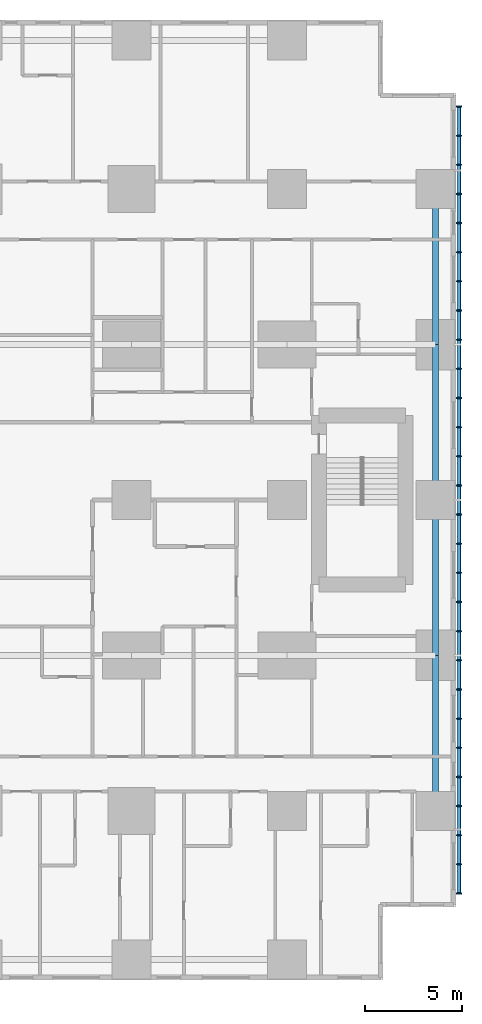
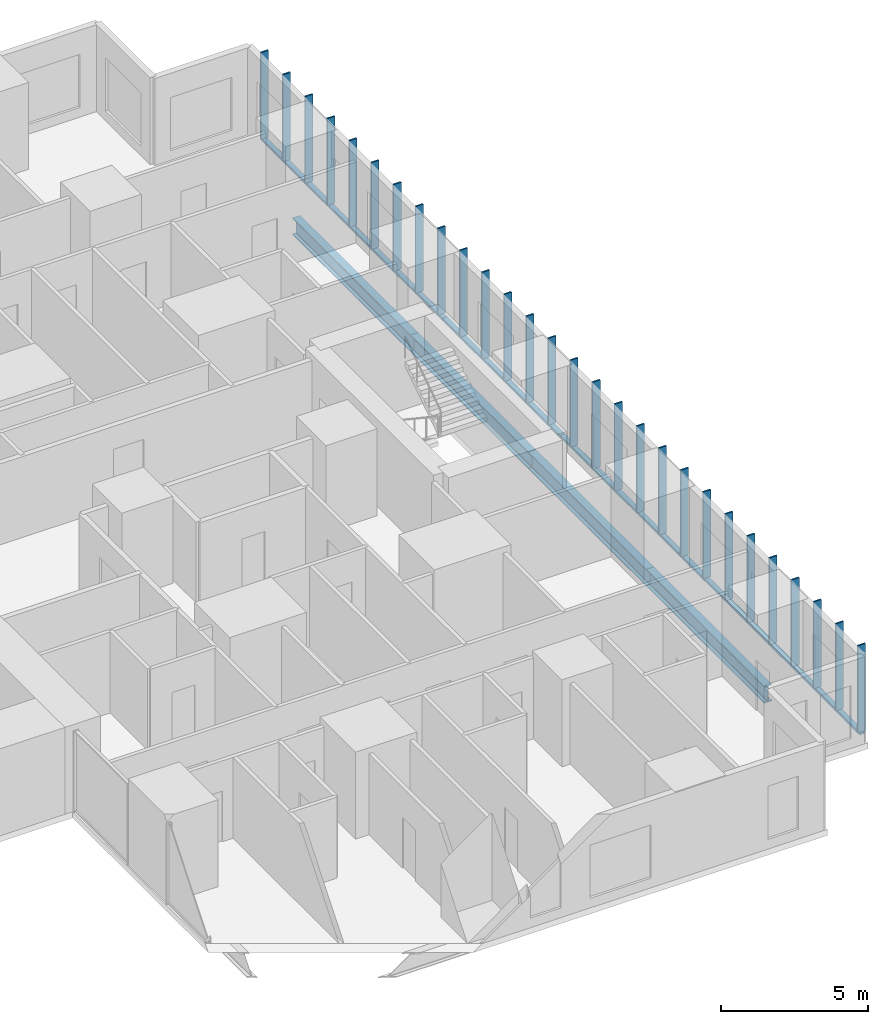
# One storey, part 6 of 21: 32 members, 4 beams.
"""IFC4 building model written with IfcOpenShell, lengths in metres."""

import ifcopenshell
import ifcopenshell.guid

model = None  # the IFC model being written
_history = None  # IfcOwnerHistory: only IFC2X3 demands one
_inside = {}  # id of a spatial element -> (the spatial element, [elements in it])
_under = {}  # id of a project, library or spatial element -> (it, [spatial elements below it])
_declared = {}  # id of a project -> (the project, [libraries it declares])
_typed = {}  # id of a type object -> (the type object, [elements of that type])
_made_of = {}  # id of a material, layer set ... -> (it, [elements and type objects made of it])


def new_model(schema):
    """Start an empty IFC model of exactly this schema.

    Asked for "IFC4X3", IfcOpenShell would pick the latest addendum, in which some entities
    have other attributes; the version numbers below select the first issue.
    IFC2X3 requires an IfcOwnerHistory on every rooted entity: one is made here for all.
    """
    global model, _history
    if schema == "IFC4X3":
        model = ifcopenshell.file(schema_version=(4, 3, 0, 0))
    else:
        model = ifcopenshell.file(schema=schema)
    _inside.clear()
    _under.clear()
    _declared.clear()
    _typed.clear()
    _made_of.clear()
    _history = None
    if model.schema == "IFC2X3":
        org = make("IfcOrganization", Name="unknown")
        user = make(
            "IfcPersonAndOrganization",
            ThePerson=make("IfcPerson", FamilyName="unknown"),
            TheOrganization=org,
        )
        app = make(
            "IfcApplication",
            ApplicationDeveloper=org,
            Version="unknown",
            ApplicationFullName="unknown",
            ApplicationIdentifier="unknown",
        )
        _history = make(
            "IfcOwnerHistory",
            OwningUser=user,
            OwningApplication=app,
            ChangeAction="ADDED",
            CreationDate=0,
        )
    return model


def make(cls, **values):
    """One entity of the class cls with the attributes given. An attribute that is None is left unset."""
    return model.create_entity(
        cls, **{name: value for name, value in values.items() if value is not None}
    )


def rooted(cls, **values):
    """An entity with a GlobalId (a new one), such as an element, a storey or a relation."""
    return make(cls, GlobalId=ifcopenshell.guid.new(), OwnerHistory=_history, **values)


def si_unit(unit_type, name, prefix=None):
    """IfcSIUnit, for example si_unit("LENGTHUNIT", "METRE", prefix="MILLI")."""
    return make("IfcSIUnit", UnitType=unit_type, Prefix=prefix, Name=name)


def assignment(units):
    """IfcUnitAssignment: the units of a project."""
    return None if units is None else make("IfcUnitAssignment", Units=units)


def point(xyz):
    """IfcCartesianPoint."""
    return None if xyz is None else make("IfcCartesianPoint", Coordinates=xyz)


def direction(xyz):
    """IfcDirection."""
    return None if xyz is None else make("IfcDirection", DirectionRatios=xyz)


def frame(location, z_axis=None, x_axis=None):
    """IfcAxis2Placement3D, a coordinate frame: its origin and axes. An axis left out is left unset."""
    return make(
        "IfcAxis2Placement3D",
        Location=point(location),
        Axis=direction(z_axis),
        RefDirection=direction(x_axis),
    )


def frame_2d(location, x_axis=None):
    """IfcAxis2Placement2D, a coordinate frame in the plane: its origin and x axis."""
    return make(
        "IfcAxis2Placement2D", Location=point(location), RefDirection=direction(x_axis)
    )


def origin():
    """The frame at (0, 0, 0) with its axes left unset."""
    return frame((0.0, 0.0, 0.0))


def origin_2d():
    """The frame at (0, 0) in the plane with its x axis left unset."""
    return frame_2d((0.0, 0.0))


def place(relative_to, where):
    """IfcLocalPlacement: puts the frame where relative to a parent placement (None: the world)."""
    return make(
        "IfcLocalPlacement", PlacementRelTo=relative_to, RelativePlacement=where
    )


def context(
    kind, dimensions, precision=None, world=None, true_north=None, identifier=None
):
    """IfcGeometricRepresentationContext, for example the 3D "Model" context."""
    return make(
        "IfcGeometricRepresentationContext",
        ContextIdentifier=identifier,
        ContextType=kind,
        CoordinateSpaceDimension=dimensions,
        Precision=precision,
        WorldCoordinateSystem=world,
        TrueNorth=true_north,
    )


def subcontext(parent, identifier, kind, view, scale=None):
    """IfcGeometricRepresentationSubContext, for example "Body" below "Model"."""
    return make(
        "IfcGeometricRepresentationSubContext",
        ContextIdentifier=identifier,
        ContextType=kind,
        ParentContext=parent,
        TargetScale=scale,
        TargetView=view,
    )


def project(units=None, contexts=None):
    """IfcProject with its units and contexts."""
    return rooted(
        "IfcProject",
        Name="project",
        RepresentationContexts=contexts,
        UnitsInContext=assignment(units),
    )


def spatial(cls, under=None, at=None, **own):
    """A site, building, storey or space (cls), placed at a placement, below another one or the project."""
    s = rooted(cls, ObjectPlacement=at, **own)
    if under is not None:
        _under.setdefault(under.id(), (under, []))[1].append(s)
    return s


def profile(cls, at=None, kind="AREA", **sizes):
    """A parametric profile (cls). Its sizes go by their IFC names, for example OverallWidth=200.0."""
    return make(cls, ProfileType=kind, Position=at, **sizes)


def rectangle(**sizes):
    """IfcRectangleProfileDef."""
    return profile("IfcRectangleProfileDef", **sizes)


def hollow_rectangle(**sizes):
    """IfcRectangleHollowProfileDef."""
    return profile("IfcRectangleHollowProfileDef", **sizes)


def i_section(**sizes):
    """IfcIShapeProfileDef."""
    return profile("IfcIShapeProfileDef", **sizes)


def extrude(swept, where, along, depth):
    """IfcExtrudedAreaSolid: the profile swept, set in the frame where, extruded along a direction by depth."""
    return make(
        "IfcExtrudedAreaSolid",
        SweptArea=swept,
        Position=where,
        ExtrudedDirection=direction(along),
        Depth=depth,
    )


def shape(context_of_items, identifier, shape_type, items):
    """IfcShapeRepresentation: the items that make up one representation, for example the "Body"."""
    return make(
        "IfcShapeRepresentation",
        ContextOfItems=context_of_items,
        RepresentationIdentifier=identifier,
        RepresentationType=shape_type,
        Items=items,
    )


def material(Name=None, Category=None):
    """IfcMaterial."""
    return make("IfcMaterial", Name=Name, Category=Category)


def material_profile(
    of_material, cross_section, Name=None, Category=None, Priority=None
):
    """IfcMaterialProfile: a cross section and its material."""
    return make(
        "IfcMaterialProfile",
        Name=Name,
        Material=of_material,
        Profile=cross_section,
        Priority=Priority,
        Category=Category,
    )


def profile_set(profiles, Name=None, composite=None):
    """IfcMaterialProfileSet."""
    return make(
        "IfcMaterialProfileSet",
        Name=Name,
        MaterialProfiles=profiles,
        CompositeProfile=composite,
    )


def made_of(thing, what):
    """Note that an element or type object is made of a material, layer set ...; save() writes the relation."""
    if what is not None:
        _made_of.setdefault(what.id(), (what, []))[1].append(thing)
    return thing


def type_object(cls, material=None, **own):
    """A type object (cls), such as IfcWallType, which elements share."""
    return made_of(rooted(cls, **own), material)


def element(
    cls,
    number,
    at=None,
    inside=None,
    cuts=None,
    type_object=None,
    material=None,
    context=None,
    identifier="Body",
    shape_type=None,
    held_by="IfcProductDefinitionShape",
    body=None,
    shapes=None,
    **own,
):
    """One element of the class cls, such as IfcWall. Its Tag is "e" and its number.

    at: its placement. inside: the storey or other place that contains it. cuts: it is an
    opening in that element (IfcRelVoidsElement). A single representation is given by context,
    identifier, shape_type and body (its items); several are given by shapes. held_by: the class
    of the entity that holds the representations. save() writes the other relations.
    """
    e = rooted(cls, Tag="e%d" % number, ObjectPlacement=at, **own)
    if body is not None:
        shapes = [shape(context, identifier, shape_type, body)]
    if shapes is not None:
        e.Representation = make(held_by, Representations=shapes)
    if inside is not None:
        _inside.setdefault(inside.id(), (inside, []))[1].append(e)
    if cuts is not None:
        rooted(
            "IfcRelVoidsElement", RelatingBuildingElement=cuts, RelatedOpeningElement=e
        )
    if type_object is not None:
        _typed.setdefault(type_object.id(), (type_object, []))[1].append(e)
    return made_of(e, material)


def aggregate(whole, parts):
    """IfcRelAggregates: a whole, such as a stair, and the parts it consists of."""
    return rooted("IfcRelAggregates", RelatingObject=whole, RelatedObjects=parts)


def save(model, path):
    """Write the relations noted so far, then the file.

    IfcRelAggregates (storeys below a building ...), IfcRelContainedInSpatialStructure (elements
    in a storey), IfcRelDefinesByType, IfcRelAssociatesMaterial and IfcRelDeclares: one each for
    every whole, place, type object, material and project.
    """
    for whole, parts in _under.values():
        aggregate(whole, parts)
    for where, things in _inside.values():
        rooted(
            "IfcRelContainedInSpatialStructure",
            RelatedElements=things,
            RelatingStructure=where,
        )
    for kind, things in _typed.values():
        rooted("IfcRelDefinesByType", RelatedObjects=things, RelatingType=kind)
    for what, things in _made_of.values():
        rooted("IfcRelAssociatesMaterial", RelatedObjects=things, RelatingMaterial=what)
    for by, libraries in _declared.values():
        rooted("IfcRelDeclares", RelatingContext=by, RelatedDefinitions=libraries)
    model.write(path)


model = new_model("IFC4")

# Units and contexts
model_context = context("Model", 3, precision=1e-05, world=origin(), true_north=direction((0.0, 1.0)))
body_context = subcontext(model_context, "Body", "Model", "MODEL_VIEW")
ifc_project = project(units=[si_unit("LENGTHUNIT", "METRE"), si_unit("AREAUNIT", "SQUARE_METRE"), si_unit("VOLUMEUNIT", "CUBIC_METRE"), si_unit("PLANEANGLEUNIT", "RADIAN"), si_unit("MASSUNIT", "GRAM", prefix="KILO")], contexts=[model_context])

# Site, building, storey
site_placement = place(None, origin())
site = spatial("IfcSite", under=ifc_project, at=site_placement, CompositionType="ELEMENT")
building_placement = place(site_placement, origin())
building = spatial("IfcBuilding", under=site, at=building_placement, Name="Cleftline Residences", CompositionType="ELEMENT")
storey_placement = place(building_placement, frame((0.0, 0.0, 128.60009765625)))
storey = spatial("IfcBuildingStorey", under=building, at=storey_placement, Name="L33", CompositionType="ELEMENT", Elevation=128.60009765625)

# Members
ifc_material_1 = material(Name="Steel S355, hot-dip galvanised", Category="steel")
ifc_material_profile_1 = material_profile(ifc_material_1, hollow_rectangle(XDim=0.10009765625, YDim=0.199951171875, WallThickness=0.008056640625, InnerFilletRadius=0.008056640625, OuterFilletRadius=0.011962890625, at=origin_2d()))
ifc_profile_set_1 = profile_set([ifc_material_profile_1], Name="Steel S355, hot-dip galvanised")
member_type_1 = type_object("IfcMemberType", Name="BAGUETTE CARRIER RHS 200X100X8", PredefinedType="USERDEFINED", material=ifc_profile_set_1)
member_1_placement = place(storey_placement, frame((66.85009765625, 3.699951171875, -0.050048828125), z_axis=(0.0, 1.0, 0.0), x_axis=(0.0, 0.0, 1.0)))
element("IfcMember", 1, at=member_1_placement, inside=storey, type_object=member_type_1, Name="Baguette carrier", ObjectType="BAGUETTE CARRIER", PredefinedType="USERDEFINED", context=body_context, shape_type="SweptSolid", body=[
    extrude(hollow_rectangle(XDim=0.10009765625, YDim=0.199951171875, WallThickness=0.008056640625, InnerFilletRadius=0.008056640625, OuterFilletRadius=0.011962890625, at=origin_2d()), origin(), (0.0, 0.0, 1.0), 12.300048828125),
])
for number, where, z_axis, x_axis, name in (
    (2, (66.85009765625, 16.0, -0.050048828125), (0.0, 1.0, 0.0), (0.0, 0.0, 1.0), "Baguette carrier"),
    (3, (66.85009765625, 24.0, -0.050048828125), (0.0, 1.0, 0.0), (0.0, 0.0, 1.0), "Baguette carrier"),
):
    element("IfcMember", number, at=place(storey_placement, frame(where, z_axis=z_axis, x_axis=x_axis)), inside=storey, type_object=member_type_1, Name=name, ObjectType="BAGUETTE CARRIER", PredefinedType="USERDEFINED", context=body_context, shape_type="SweptSolid", body=[
        extrude(hollow_rectangle(XDim=0.10009765625, YDim=0.199951171875, WallThickness=0.008056640625, InnerFilletRadius=0.008056640625, OuterFilletRadius=0.011962890625, at=origin_2d()), origin(), (0.0, 0.0, 1.0), 8.0),
    ])
member_2_placement = place(storey_placement, frame((66.85009765625, 32.0, -0.050048828125), z_axis=(0.0, 1.0, 0.0), x_axis=(0.0, 0.0, 1.0)))
element("IfcMember", 4, at=member_2_placement, inside=storey, type_object=member_type_1, Name="Baguette carrier", ObjectType="BAGUETTE CARRIER", PredefinedType="USERDEFINED", context=body_context, shape_type="SweptSolid", body=[
    extrude(hollow_rectangle(XDim=0.10009765625, YDim=0.199951171875, WallThickness=0.008056640625, InnerFilletRadius=0.008056640625, OuterFilletRadius=0.011962890625, at=origin_2d()), origin(), (0.0, 0.0, 1.0), 12.300048828125),
])

# Beams
ifc_material_2 = material(Name="Steel S355", Category="steel")
ifc_material_profile_2 = material_profile(ifc_material_2, i_section(OverallWidth=0.300048828125, OverallDepth=0.699951171875, WebThickness=0.01708984375, FlangeThickness=0.031982421875, FilletRadius=0.027099609375, at=origin_2d()))
ifc_profile_set_2 = profile_set([ifc_material_profile_2], Name="Steel S355")
beam_type = type_object("IfcBeamType", Name="BEAM HEB 700", PredefinedType="BEAM", material=ifc_profile_set_2)
for number, where, z_axis, x_axis, name in (
    (5, (65.64990234375, 8.0, -0.60009765625), (0.0, 1.0, 0.0), (-1.0, 0.0, 0.0), "Edge beam"),
    (6, (65.64990234375, 16.0, -0.60009765625), (0.0, 1.0, 0.0), (-1.0, 0.0, 0.0), "Edge beam"),
    (7, (65.64990234375, 24.0, -0.60009765625), (0.0, 1.0, 0.0), (-1.0, 0.0, 0.0), "Edge beam"),
    (8, (65.64990234375, 32.0, -0.60009765625), (0.0, 1.0, 0.0), (-1.0, 0.0, 0.0), "Edge beam"),
):
    element("IfcBeam", number, at=place(storey_placement, frame(where, z_axis=z_axis, x_axis=x_axis)), inside=storey, type_object=beam_type, Name=name, PredefinedType="BEAM", context=body_context, shape_type="SweptSolid", body=[
        extrude(i_section(OverallWidth=0.300048828125, OverallDepth=0.699951171875, WebThickness=0.01708984375, FlangeThickness=0.031982421875, FilletRadius=0.027099609375, at=origin_2d()), origin(), (0.0, 0.0, 1.0), 8.0),
    ])

# Members
ifc_material_3 = material(Name="Extruded terracotta", Category="masonry")
ifc_material_profile_3 = material_profile(ifc_material_3, rectangle(XDim=0.06005859375, YDim=0.300048828125, at=origin_2d()))
ifc_profile_set_3 = profile_set([ifc_material_profile_3], Name="Extruded terracotta")
member_type_2 = type_object("IfcMemberType", Name="TERRACOTTA BAGUETTE 60X300", PredefinedType="USERDEFINED", material=ifc_profile_set_3)
for number, where, z_axis, x_axis, name in (
    (9, (66.85009765625, 3.75, 0.0), (0.0, 0.0, 1.0), (0.0, 1.0, 0.0), "Terracotta baguette"),
    (10, (66.85009765625, 5.25, 0.0), (0.0, 0.0, 1.0), (0.0, 1.0, 0.0), "Terracotta baguette"),
    (11, (66.85009765625, 6.75, 0.0), (0.0, 0.0, 1.0), (0.0, 1.0, 0.0), "Terracotta baguette"),
    (12, (66.85009765625, 8.25, 0.0), (0.0, 0.0, 1.0), (0.0, 1.0, 0.0), "Terracotta baguette"),
    (13, (66.85009765625, 9.75, 0.0), (0.0, 0.0, 1.0), (0.0, 1.0, 0.0), "Terracotta baguette"),
    (14, (66.85009765625, 11.25, 0.0), (0.0, 0.0, 1.0), (0.0, 1.0, 0.0), "Terracotta baguette"),
    (15, (66.85009765625, 12.75, 0.0), (0.0, 0.0, 1.0), (0.0, 1.0, 0.0), "Terracotta baguette"),
    (16, (66.85009765625, 14.25, 0.0), (0.0, 0.0, 1.0), (0.0, 1.0, 0.0), "Terracotta baguette"),
    (17, (66.85009765625, 15.75, 0.0), (0.0, 0.0, 1.0), (0.0, 1.0, 0.0), "Terracotta baguette"),
    (18, (66.85009765625, 17.25, 0.0), (0.0, 0.0, 1.0), (0.0, 1.0, 0.0), "Terracotta baguette"),
    (19, (66.85009765625, 18.75, 0.0), (0.0, 0.0, 1.0), (0.0, 1.0, 0.0), "Terracotta baguette"),
    (20, (66.85009765625, 20.25, 0.0), (0.0, 0.0, 1.0), (0.0, 1.0, 0.0), "Terracotta baguette"),
    (21, (66.85009765625, 21.75, 0.0), (0.0, 0.0, 1.0), (0.0, 1.0, 0.0), "Terracotta baguette"),
    (22, (66.85009765625, 23.25, 0.0), (0.0, 0.0, 1.0), (0.0, 1.0, 0.0), "Terracotta baguette"),
    (23, (66.85009765625, 24.75, 0.0), (0.0, 0.0, 1.0), (0.0, 1.0, 0.0), "Terracotta baguette"),
    (24, (66.85009765625, 26.25, 0.0), (0.0, 0.0, 1.0), (0.0, 1.0, 0.0), "Terracotta baguette"),
    (25, (66.85009765625, 27.75, 0.0), (0.0, 0.0, 1.0), (0.0, 1.0, 0.0), "Terracotta baguette"),
    (26, (66.85009765625, 29.25, 0.0), (0.0, 0.0, 1.0), (0.0, 1.0, 0.0), "Terracotta baguette"),
    (27, (66.85009765625, 30.75, 0.0), (0.0, 0.0, 1.0), (0.0, 1.0, 0.0), "Terracotta baguette"),
    (28, (66.85009765625, 32.25, 0.0), (0.0, 0.0, 1.0), (0.0, 1.0, 0.0), "Terracotta baguette"),
    (29, (66.85009765625, 33.75, 0.0), (0.0, 0.0, 1.0), (0.0, 1.0, 0.0), "Terracotta baguette"),
    (30, (66.85009765625, 35.25, 0.0), (0.0, 0.0, 1.0), (0.0, 1.0, 0.0), "Terracotta baguette"),
    (31, (66.85009765625, 36.75, 0.0), (0.0, 0.0, 1.0), (0.0, 1.0, 0.0), "Terracotta baguette"),
    (32, (66.85009765625, 38.25, 0.0), (0.0, 0.0, 1.0), (0.0, 1.0, 0.0), "Terracotta baguette"),
    (33, (66.85009765625, 39.75, 0.0), (0.0, 0.0, 1.0), (0.0, 1.0, 0.0), "Terracotta baguette"),
    (34, (66.85009765625, 41.25, 0.0), (0.0, 0.0, 1.0), (0.0, 1.0, 0.0), "Terracotta baguette"),
    (35, (66.85009765625, 42.75, 0.0), (0.0, 0.0, 1.0), (0.0, 1.0, 0.0), "Terracotta baguette"),
    (36, (66.85009765625, 44.25, 0.0), (0.0, 0.0, 1.0), (0.0, 1.0, 0.0), "Terracotta baguette"),
):
    element("IfcMember", number, at=place(storey_placement, frame(where, z_axis=z_axis, x_axis=x_axis)), inside=storey, type_object=member_type_2, Name=name, ObjectType="BAGUETTE", PredefinedType="USERDEFINED", context=body_context, shape_type="SweptSolid", body=[
        extrude(rectangle(XDim=0.06005859375, YDim=0.300048828125, at=origin_2d()), origin(), (0.0, 0.0, 1.0), 3.599853515625),
    ])

save(model, "model.ifc")
